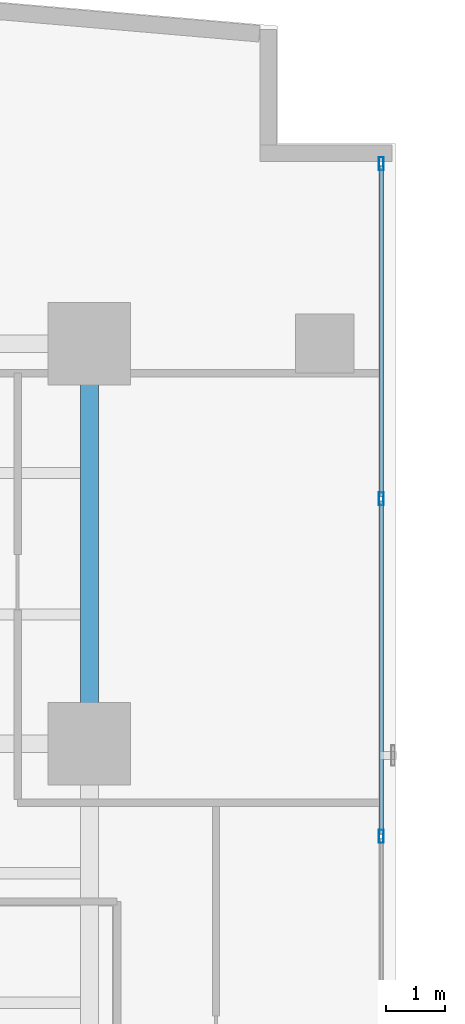
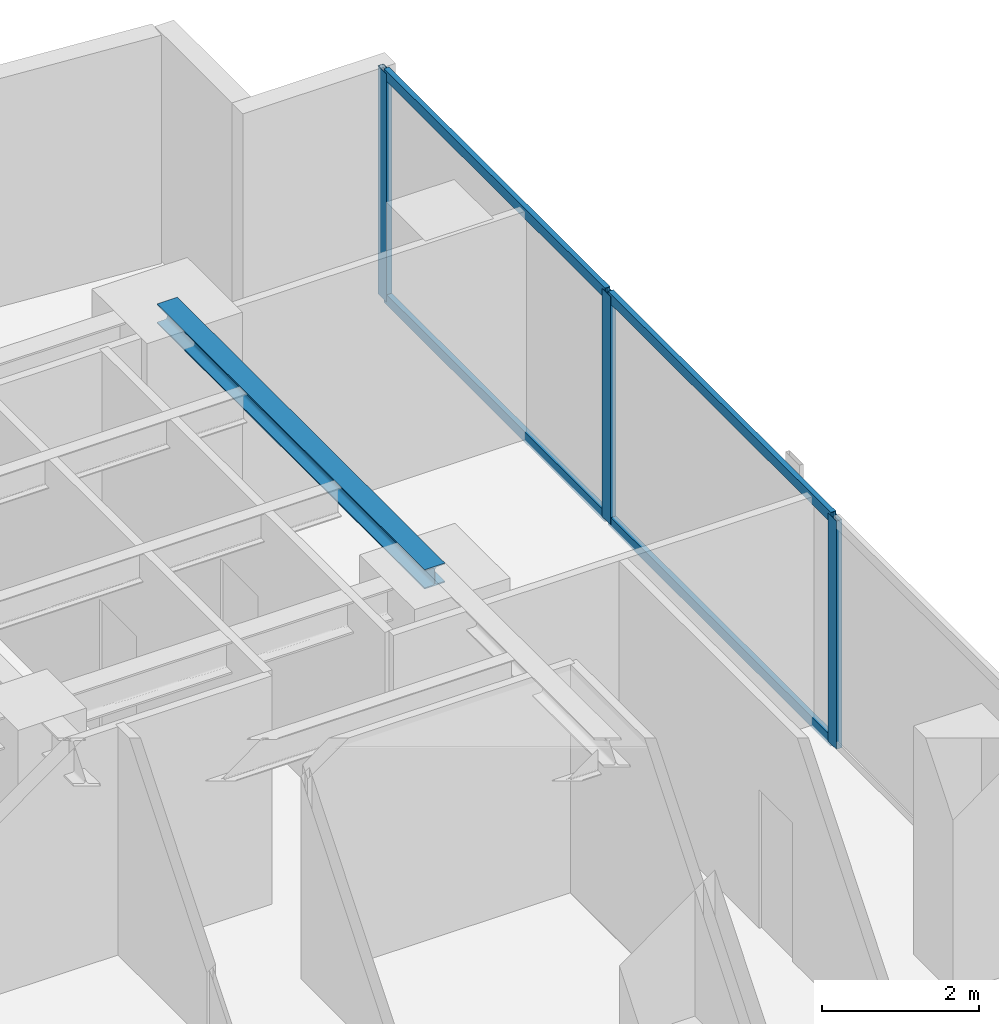
# One storey, part 17 of 26: 7 members, 1 beam, 1 element without a shape of its own.
"""IFC4 building model written with IfcOpenShell, lengths in metres."""

from ifc_helpers import new_model, si_unit, direction, frame, origin, origin_with_axes, origin_2d, place, context, subcontext, project, spatial, hollow_rectangle, i_section, extrude, source, transform, mapped, material, layer, layer_set, material_profile, profile_set, type_object, element, aggregate, save


model = new_model("IFC4")

# Units and contexts
model_context = context("Model", 3, precision=1e-05, world=origin(), true_north=direction((0.0, 1.0)))
body_context = subcontext(model_context, "Body", "Model", "MODEL_VIEW")
ifc_project = project(units=[si_unit("LENGTHUNIT", "METRE"), si_unit("AREAUNIT", "SQUARE_METRE"), si_unit("VOLUMEUNIT", "CUBIC_METRE"), si_unit("PLANEANGLEUNIT", "RADIAN"), si_unit("MASSUNIT", "GRAM", prefix="KILO")], contexts=[model_context])

# Site, building, storey
site_placement = place(None, origin())
site = spatial("IfcSite", under=ifc_project, at=site_placement, CompositionType="ELEMENT")
building_placement = place(site_placement, origin())
building = spatial("IfcBuilding", under=site, at=building_placement, Name="Kolvaren Waterfront Exchange", CompositionType="ELEMENT")
storey_placement = place(building_placement, frame((0.0, 0.0, 125.89990234375)))
storey = spatial("IfcBuildingStorey", under=building, at=storey_placement, Name="L32", CompositionType="ELEMENT", Elevation=125.89990234375)

# Beam
ifc_material_1 = material(Name="Steel S355", Category="steel")
ifc_material_profile_1 = material_profile(ifc_material_1, i_section(OverallWidth=0.300048828125, OverallDepth=0.300048828125, WebThickness=0.010986328125, FlangeThickness=0.01904296875, FilletRadius=0.027099609375, at=origin_2d()), Name="HEB300")
ifc_profile_set_1 = profile_set([ifc_material_profile_1], Name="Steel S355")
beam_type = type_object("IfcBeamType", Name="STR-BM-HEB300", PredefinedType="SPANDREL", material=ifc_profile_set_1)
beam_placement = place(storey_placement, frame((18.800048828125, 37.800048828125, 3.39013671875), z_axis=(0.0, 1.0, 0.0), x_axis=(-1.0, 0.0, 0.0)))
element("IfcBeam", 1, at=beam_placement, inside=storey, type_object=beam_type, Name="L32 north-arm edge beam 3", PredefinedType="SPANDREL", context=body_context, shape_type="SweptSolid", body=[
    extrude(i_section(OverallWidth=0.300048828125, OverallDepth=0.300048828125, WebThickness=0.010986328125, FlangeThickness=0.01904296875, FilletRadius=0.027099609375, at=origin_2d()), origin(), (0.0, 0.0, 1.0), 6.800048828125),
])

# Curtain wall, members
ifc_material_2 = material(Name="Anodised bronze aluminium 6063-T6", Category="aluminium")
ifc_layer = layer(ifc_material_2, 0.219970703125, Name="Anodised bronze aluminium 6063-T6")
ifc_layer_set = layer_set([ifc_layer], Name="Anodised bronze aluminium 6063-T6")
curtain_wall_type = type_object("IfcCurtainWallType", Name="ARC-CW-SYS1", PredefinedType="USERDEFINED", material=ifc_layer_set)
curtain_wall_placement = place(storey_placement, origin())
curtain_wall = element("IfcCurtainWall", 2, at=curtain_wall_placement, inside=storey, type_object=curtain_wall_type, Name="L32 stick curtain wall CW1 (CW-L32-NE)", ObjectType="STICK CURTAIN WALL", PredefinedType="USERDEFINED")
ifc_material_3 = material(Name="Anodised aluminium 6063-T6", Category="aluminium")
ifc_material_profile_2 = material_profile(ifc_material_3, hollow_rectangle(XDim=0.080078125, YDim=0.219970703125, WallThickness=0.0048828125, at=origin_2d()), Name="ALU-MUL-220x80x5")
ifc_profile_set_2 = profile_set([ifc_material_profile_2], Name="Anodised aluminium 6063-T6")
member_type_1 = type_object("IfcMemberType", Name="ARC-CWM-220", PredefinedType="MULLION", material=ifc_profile_set_2)
shared_shape_1 = source(origin_with_axes(), body_context, "Body", "SweptSolid", [
    extrude(hollow_rectangle(XDim=0.080078125, YDim=0.219970703125, WallThickness=0.0048828125, at=origin_2d()), origin(), (0.0, 0.0, 1.0), 3.5400390625),
])
member_1_placement = place(storey_placement, frame((23.760009765625, 36.2265625, 0.0), z_axis=(0.0, 0.0, 1.0), x_axis=(-1.0, 0.0, 0.0)))
member_1 = element("IfcMember", 3, at=member_1_placement, type_object=member_type_1, Name="CW1 mullion 2", PredefinedType="MULLION", context=body_context, shape_type="MappedRepresentation", body=[
    mapped(shared_shape_1, transform((0.0, 0.0, 0.0), x_axis=(1.0, 0.0, 0.0), y_axis=(0.0, 1.0, 0.0), z_axis=(0.0, 0.0, 1.0), scale=1.0)),
])
member_2_placement = place(storey_placement, frame((23.760009765625, 41.96337890625, 0.0), z_axis=(0.0, 0.0, 1.0), x_axis=(-1.0, 0.0, 0.0)))
member_2 = element("IfcMember", 4, at=member_2_placement, type_object=member_type_1, Name="CW1 mullion 3", PredefinedType="MULLION", context=body_context, shape_type="MappedRepresentation", body=[
    mapped(shared_shape_1, transform((0.0, 0.0, 0.0), x_axis=(1.0, 0.0, 0.0), y_axis=(0.0, 1.0, 0.0), z_axis=(0.0, 0.0, 1.0), scale=1.0)),
])
member_3_placement = place(storey_placement, frame((23.760009765625, 47.659912109375, 0.0), z_axis=(0.0, 0.0, 1.0), x_axis=(-1.0, 0.0, 0.0)))
member_3 = element("IfcMember", 5, at=member_3_placement, type_object=member_type_1, Name="CW1 mullion 4", PredefinedType="MULLION", context=body_context, shape_type="MappedRepresentation", body=[
    mapped(shared_shape_1, transform((0.0, 0.0, 0.0), x_axis=(1.0, 0.0, 0.0), y_axis=(0.0, 1.0, 0.0), z_axis=(0.0, 0.0, 1.0), scale=1.0)),
])
ifc_material_profile_3 = material_profile(ifc_material_3, hollow_rectangle(XDim=0.074951171875, YDim=0.159912109375, WallThickness=0.00439453125, at=origin_2d()), Name="ALU-TRN-160x75x4.5")
ifc_profile_set_3 = profile_set([ifc_material_profile_3], Name="Anodised aluminium 6063-T6")
member_type_2 = type_object("IfcMemberType", Name="ARC-CWT-160", PredefinedType="USERDEFINED", material=ifc_profile_set_3)
shared_shape_2 = source(origin_with_axes(), body_context, "Body", "SweptSolid", [
    extrude(hollow_rectangle(XDim=0.074951171875, YDim=0.159912109375, WallThickness=0.00439453125, at=origin_2d()), origin(), (0.0, 0.0, 1.0), 5.61669921875),
])
member_4_placement = place(storey_placement, frame((23.760009765625, 42.00341796875, 0.03759765625), z_axis=(0.0, 1.0, 0.0), x_axis=(-1.0, 0.0, 0.0)))
member_4 = element("IfcMember", 6, at=member_4_placement, type_object=member_type_2, Name="CW1 transom 3.1", ObjectType="TRANSOM", PredefinedType="USERDEFINED", context=body_context, shape_type="MappedRepresentation", body=[
    mapped(shared_shape_2, transform((0.0, 0.0, 0.0), x_axis=(1.0, 0.0, 0.0), y_axis=(0.0, 1.0, 0.0), z_axis=(0.0, 0.0, 1.0), scale=1.0)),
])
member_5_placement = place(storey_placement, frame((23.760009765625, 42.00341796875, 3.502685546875), z_axis=(0.0, 1.0, 0.0), x_axis=(-1.0, 0.0, 0.0)))
member_5 = element("IfcMember", 7, at=member_5_placement, type_object=member_type_2, Name="CW1 transom 3.2", ObjectType="TRANSOM", PredefinedType="USERDEFINED", context=body_context, shape_type="MappedRepresentation", body=[
    mapped(shared_shape_2, transform((0.0, 0.0, 0.0), x_axis=(1.0, 0.0, 0.0), y_axis=(0.0, 1.0, 0.0), z_axis=(0.0, 0.0, 1.0), scale=1.0)),
])
shared_shape_3 = source(origin_with_axes(), body_context, "Body", "SweptSolid", [
    extrude(hollow_rectangle(XDim=0.074951171875, YDim=0.159912109375, WallThickness=0.00439453125, at=origin_2d()), origin(), (0.0, 0.0, 1.0), 5.65673828125),
])
member_6_placement = place(storey_placement, frame((23.760009765625, 36.2666015625, 0.03759765625), z_axis=(0.0, 1.0, 0.0), x_axis=(-1.0, 0.0, 0.0)))
member_6 = element("IfcMember", 8, at=member_6_placement, type_object=member_type_2, Name="CW1 transom 2.1", ObjectType="TRANSOM", PredefinedType="USERDEFINED", context=body_context, shape_type="MappedRepresentation", body=[
    mapped(shared_shape_3, transform((0.0, 0.0, 0.0), x_axis=(1.0, 0.0, 0.0), y_axis=(0.0, 1.0, 0.0), z_axis=(0.0, 0.0, 1.0), scale=1.0)),
])
member_7_placement = place(storey_placement, frame((23.760009765625, 36.2666015625, 3.502685546875), z_axis=(0.0, 1.0, 0.0), x_axis=(-1.0, 0.0, 0.0)))
member_7 = element("IfcMember", 9, at=member_7_placement, type_object=member_type_2, Name="CW1 transom 2.2", ObjectType="TRANSOM", PredefinedType="USERDEFINED", context=body_context, shape_type="MappedRepresentation", body=[
    mapped(shared_shape_3, transform((0.0, 0.0, 0.0), x_axis=(1.0, 0.0, 0.0), y_axis=(0.0, 1.0, 0.0), z_axis=(0.0, 0.0, 1.0), scale=1.0)),
])
aggregate(curtain_wall, [member_1, member_2, member_3, member_6, member_7, member_4, member_5])

save(model, "model.ifc")
